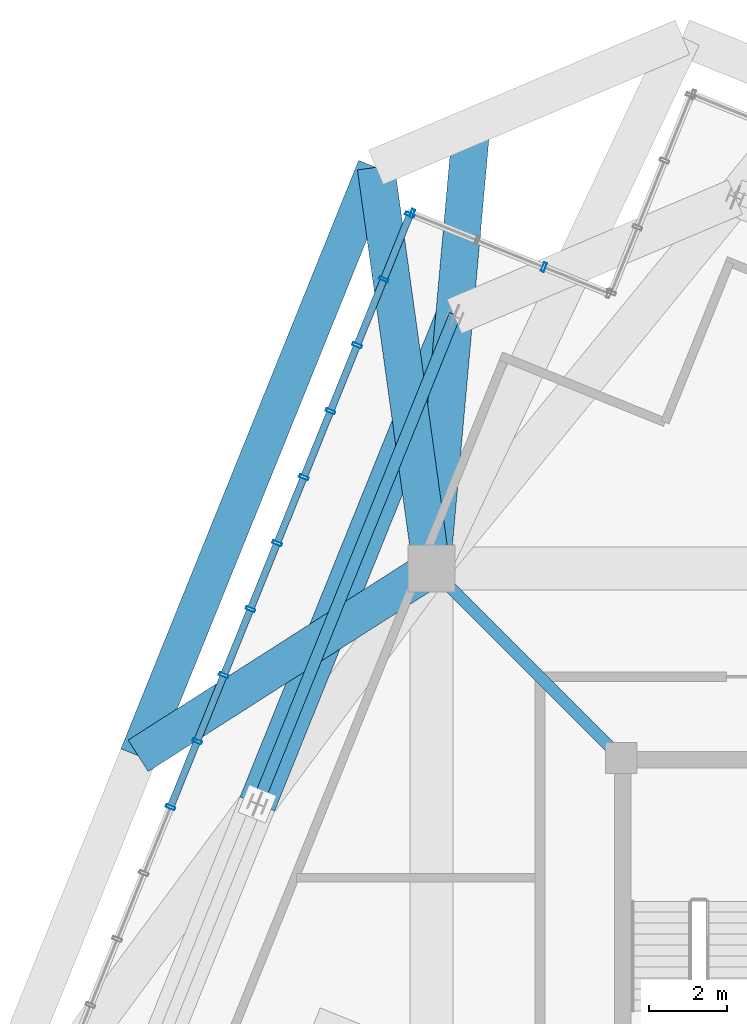
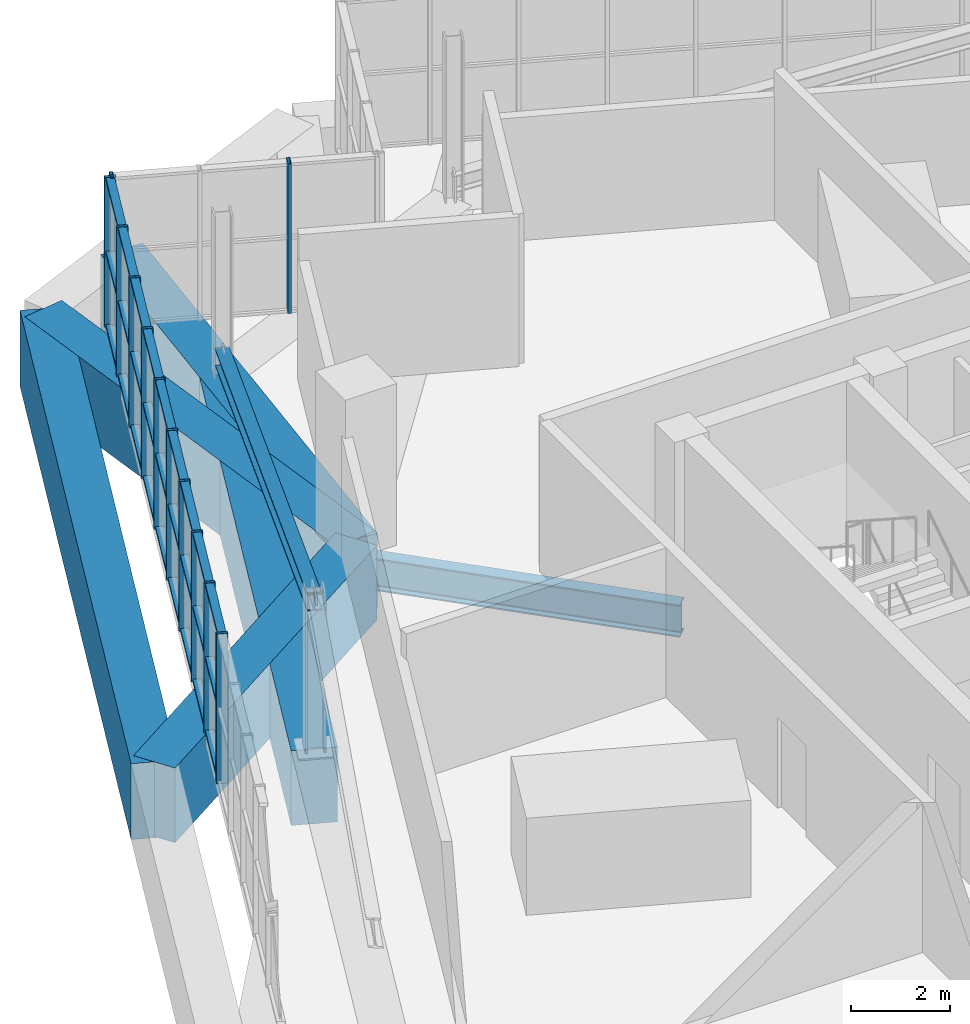
# One storey, part 18 of 35: 40 members, 6 beams, 2 elements without a shape of their own.
"""IFC4 building model written with IfcOpenShell, lengths in metres."""

from ifc_helpers import new_model, si_unit, direction, frame, origin, origin_2d, place, context, subcontext, project, spatial, rectangle, hollow_rectangle, i_section, extrude, source, transform, mapped, material, layer, layer_set, material_profile, profile_set, type_object, element, aggregate, save


model = new_model("IFC4")

# Units and contexts
model_context = context("Model", 3, precision=1e-05, world=origin(), true_north=direction((0.0, 1.0)))
body_context = subcontext(model_context, "Body", "Model", "MODEL_VIEW")
ifc_project = project(units=[si_unit("LENGTHUNIT", "METRE"), si_unit("AREAUNIT", "SQUARE_METRE"), si_unit("VOLUMEUNIT", "CUBIC_METRE"), si_unit("PLANEANGLEUNIT", "RADIAN"), si_unit("MASSUNIT", "GRAM", prefix="KILO"), si_unit("THERMODYNAMICTEMPERATUREUNIT", "KELVIN")], contexts=[model_context])

# Site, building, storey
site_placement = place(None, origin())
site = spatial("IfcSite", under=ifc_project, at=site_placement, CompositionType="ELEMENT")
building_placement = place(site_placement, origin())
building = spatial("IfcBuilding", under=site, at=building_placement, Name="Kosmvard Interchange Tower", CompositionType="ELEMENT")
storey_placement = place(building_placement, frame((0.0, 0.0, 321.60009765625)))
storey = spatial("IfcBuildingStorey", under=building, at=storey_placement, Name="L79", CompositionType="ELEMENT", Elevation=321.60009765625)

# Beams
ifc_material_1 = material(Name="Steel S355", Category="steel")
ifc_material_profile_1 = material_profile(ifc_material_1, i_section(OverallWidth=0.300048828125, OverallDepth=0.800048828125, WebThickness=0.017578125, FlangeThickness=0.032958984375, FilletRadius=0.027099609375, at=origin_2d()), Name="HEB 800")
ifc_profile_set_1 = profile_set([ifc_material_profile_1], Name="Steel S355")
beam_type_1 = type_object("IfcBeamType", Name="Primary Mega-Frame Girder HEB 800 S355", PredefinedType="BEAM", material=ifc_profile_set_1)
shared_shape_1 = source(origin(), body_context, "Body", "SweptSolid", [
    extrude(i_section(OverallWidth=0.300048828125, OverallDepth=0.800048828125, WebThickness=0.017578125, FlangeThickness=0.032958984375, FilletRadius=0.027099609375, at=origin_2d()), origin(), (0.0, 0.0, 1.0), 6.83203125),
])
beam_1_placement = place(storey_placement, frame((-8.25, 8.25, -0.7001953125), z_axis=(-0.707106781187, 0.707106781187, 0.0), x_axis=(-0.707106781187, -0.707106781187, 0.0)))
element("IfcBeam", 1, at=beam_1_placement, inside=storey, type_object=beam_type_1, Name="L79 Radial Mega-Frame Girder 4", PredefinedType="BEAM", context=body_context, shape_type="MappedRepresentation", body=[
    mapped(shared_shape_1, transform((0.0, 0.0, 0.0), scale=1.0)),
])
ifc_material_2 = material(Name="Concrete C60/75", Category="concrete")
ifc_material_profile_2 = material_profile(ifc_material_2, rectangle(XDim=0.949951171875, YDim=1.85009765625, at=origin_2d()), Name="TG 950x1850")
ifc_profile_set_2 = profile_set([ifc_material_profile_2], Name="Concrete C60/75")
beam_type_2 = type_object("IfcBeamType", Name="Upper Transfer Ring Girder 950x1850 C60/75", PredefinedType="USERDEFINED", material=ifc_profile_set_2)
shared_shape_2 = source(origin(), body_context, "Body", "SweptSolid", [
    extrude(rectangle(XDim=0.949951171875, YDim=1.85009765625, at=origin_2d()), origin(), (0.0, 0.0, 1.0), 10.3212890625),
])
beam_2_placement = place(storey_placement, frame((-13.0810546875, 13.0810546875, -0.925048828125), z_axis=(-0.137572239014, 0.990491735984, 0.0), x_axis=(-0.990491735984, -0.137572239014, 0.0)))
element("IfcBeam", 2, at=beam_2_placement, inside=storey, type_object=beam_type_2, Name="BM-L79-LD07", ObjectType="TRANSFER_GIRDER", PredefinedType="USERDEFINED", context=body_context, shape_type="MappedRepresentation", body=[
    mapped(shared_shape_2, transform((0.0, 0.0, 0.0), scale=1.0)),
])
ifc_material_profile_3 = material_profile(ifc_material_2, rectangle(XDim=0.949951171875, YDim=1.8798828125, at=origin_2d()), Name="TG 950x1880")
ifc_profile_set_3 = profile_set([ifc_material_profile_3], Name="Concrete C60/75")
beam_type_3 = type_object("IfcBeamType", Name="Upper Long-Span Transfer Girder 950x1880 C60/75", PredefinedType="USERDEFINED", material=ifc_profile_set_3)
shared_shape_3 = source(origin(), body_context, "Body", "SweptSolid", [
    extrude(rectangle(XDim=0.949951171875, YDim=1.8798828125, at=origin_2d()), origin(), (0.0, 0.0, 1.0), 16.175048828125),
])
beam_3_placement = place(storey_placement, frame((-14.5009765625, 23.30419921875, -0.940185546875), z_axis=(-0.374607540279, -0.927183472009, 0.0), x_axis=(0.927183472009, -0.374607540279, 0.0)))
element("IfcBeam", 3, at=beam_3_placement, inside=storey, type_object=beam_type_3, Name="BM-L79-LR07", ObjectType="TRANSFER_GIRDER", PredefinedType="USERDEFINED", context=body_context, shape_type="MappedRepresentation", body=[
    mapped(shared_shape_3, transform((0.0, 0.0, 0.0), scale=1.0)),
])
shared_shape_4 = source(origin(), body_context, "Body", "SweptSolid", [
    extrude(rectangle(XDim=0.949951171875, YDim=1.85009765625, at=origin_2d()), origin(), (0.0, 0.0, 1.0), 8.873046875),
])
beam_4_placement = place(storey_placement, frame((-13.0810546875, 13.0810546875, -0.925048828125), z_axis=(-0.842912916934, -0.538050011119, 0.0), x_axis=(0.538050011119, -0.842912916934, 0.0)))
element("IfcBeam", 4, at=beam_4_placement, inside=storey, type_object=beam_type_2, Name="BM-L79-LD08", ObjectType="TRANSFER_GIRDER", PredefinedType="USERDEFINED", context=body_context, shape_type="MappedRepresentation", body=[
    mapped(shared_shape_4, transform((0.0, 0.0, 0.0), scale=1.0)),
])
shared_shape_5 = source(origin(), body_context, "Body", "SweptSolid", [
    extrude(rectangle(XDim=0.949951171875, YDim=1.85009765625, at=origin_2d()), origin(), (0.0, 0.0, 1.0), 11.30029296875),
])
beam_5_placement = place(storey_placement, frame((-13.0810546875, 13.0810546875, -0.925048828125), z_axis=(0.089466247034, 0.995989854688, 0.0), x_axis=(-0.995989854688, 0.089466247034, 0.0)))
element("IfcBeam", 5, at=beam_5_placement, inside=storey, type_object=beam_type_2, Name="BM-L79-RD07", ObjectType="TRANSFER_GIRDER", PredefinedType="USERDEFINED", context=body_context, shape_type="MappedRepresentation", body=[
    mapped(shared_shape_5, transform((0.0, 0.0, 0.0), scale=1.0)),
])
shared_shape_6 = source(origin(), body_context, "Body", "SweptSolid", [
    extrude(rectangle(XDim=0.949951171875, YDim=1.85009765625, at=origin_2d()), origin(), (0.0, 0.0, 1.0), 13.39990234375),
])
beam_6_placement = place(storey_placement, frame((-12.504150390625, 19.50439453125, -0.925048828125), z_axis=(-0.374592580972, -0.927189515839, 0.0), x_axis=(0.927189515839, -0.374592580972, 0.0)))
element("IfcBeam", 6, at=beam_6_placement, inside=storey, type_object=beam_type_2, Name="BM-L79-PR07", ObjectType="TRANSFER_GIRDER", PredefinedType="USERDEFINED", context=body_context, shape_type="MappedRepresentation", body=[
    mapped(shared_shape_6, transform((0.0, 0.0, 0.0), scale=1.0)),
])

# Member
ifc_material_profile_4 = material_profile(ifc_material_1, i_section(OverallWidth=0.300048828125, OverallDepth=0.39990234375, WebThickness=0.013427734375, FlangeThickness=0.02392578125, FilletRadius=0.027099609375, at=origin_2d()), Name="HEB 400")
ifc_profile_set_4 = profile_set([ifc_material_profile_4], Name="Steel S355")
member_type_1 = type_object("IfcMemberType", Name="Lantern Crown Diagrid Brace HEB 400 S355", PredefinedType="BRACE", material=ifc_profile_set_4)
shared_shape_7 = source(origin(), body_context, "Body", "SweptSolid", [
    extrude(i_section(OverallWidth=0.300048828125, OverallDepth=0.39990234375, WebThickness=0.013427734375, FlangeThickness=0.02392578125, FilletRadius=0.027099609375, at=origin_2d()), origin(), (0.0, 0.0, 1.0), 13.78369140625),
])
member_1_placement = place(storey_placement, frame((-12.504150390625, 19.50439453125, 0.419921875), z_axis=(-0.364162635972, -0.901373372792, 0.234332279859), x_axis=(0.927189515839, -0.374592580972, 0.0)))
element("IfcMember", 7, at=member_1_placement, inside=storey, type_object=member_type_1, Name="L79 Crown Lantern Diagrid Brace N1", PredefinedType="BRACE", context=body_context, shape_type="MappedRepresentation", body=[
    mapped(shared_shape_7, transform((0.0, 0.0, 0.0), scale=1.0)),
])

# Curtain wall, members
ifc_material_3 = material(Name="Architectural anodised aluminium", Category="aluminium")
ifc_layer = layer(ifc_material_3, 0.25, Name="Architectural anodised aluminium")
ifc_layer_set = layer_set([ifc_layer], Name="Architectural anodised aluminium")
curtain_wall_type = type_object("IfcCurtainWallType", Name="CW-6 Illuminated Crown Lantern Curtain Wall", PredefinedType="NOTDEFINED", material=ifc_layer_set)
curtain_wall_1_placement = place(storey_placement, origin())
curtain_wall_1 = element("IfcCurtainWall", 8, at=curtain_wall_1_placement, inside=storey, type_object=curtain_wall_type, Name="L79 Crown Lantern Glazing Face 06", PredefinedType="NOTDEFINED")
ifc_material_profile_5 = material_profile(ifc_material_3, hollow_rectangle(XDim=0.239990234375, YDim=0.080078125, WallThickness=0.006103515625, at=origin_2d()), Name="CWM 240x80x6")
ifc_profile_set_5 = profile_set([ifc_material_profile_5], Name="Architectural anodised aluminium")
member_type_2 = type_object("IfcMemberType", Name="Lantern & Observation CW Mullion 240x80 Aluminium", PredefinedType="MULLION", material=ifc_profile_set_5)
shared_shape_8 = source(origin(), body_context, "Body", "SweptSolid", [
    extrude(hollow_rectangle(XDim=0.239990234375, YDim=0.080078125, WallThickness=0.006103515625, at=origin_2d()), origin(), (0.0, 0.0, 1.0), 3.699951171875),
])
member_2_placement = place(storey_placement, frame((-10.220458984375, 20.760498046875, 0.0), z_axis=(0.0, 0.0, 1.0), x_axis=(-0.374606501678, -0.927183891631, 0.0)))
member_2 = element("IfcMember", 9, at=member_2_placement, type_object=member_type_2, Name="CW-6 mullion 2", PredefinedType="MULLION", context=body_context, shape_type="MappedRepresentation", body=[
    mapped(shared_shape_8, transform((0.0, 0.0, 0.0), scale=1.0)),
])
member_3_placement = place(storey_placement, frame((-13.583251953125, 22.118896484375, 0.0), z_axis=(0.0, 0.0, 1.0), x_axis=(-0.374606501678, -0.927183891631, 0.0)))
member_3 = element("IfcMember", 10, at=member_3_placement, type_object=member_type_2, Name="CW-6 mullion 4", PredefinedType="MULLION", context=body_context, shape_type="MappedRepresentation", body=[
    mapped(shared_shape_8, transform((0.0, 0.0, 0.0), scale=1.0)),
])
aggregate(curtain_wall_1, [member_2, member_3])

curtain_wall_2_placement = place(storey_placement, origin())
curtain_wall_2 = element("IfcCurtainWall", 11, at=curtain_wall_2_placement, inside=storey, type_object=curtain_wall_type, Name="L79 Crown Lantern Glazing Face 07", PredefinedType="NOTDEFINED")
member_4_placement = place(storey_placement, frame((-13.63525390625, 22.096923828125, 0.0), z_axis=(0.0, 0.0, 1.0), x_axis=(0.927183858065, -0.374606584758, 0.0)))
member_4 = element("IfcMember", 12, at=member_4_placement, type_object=member_type_2, Name="CW-6 mullion 1", PredefinedType="MULLION", context=body_context, shape_type="MappedRepresentation", body=[
    mapped(shared_shape_8, transform((0.0, 0.0, 0.0), scale=1.0)),
])
member_5_placement = place(storey_placement, frame((-14.2998046875, 20.451904296875, 0.0), z_axis=(0.0, 0.0, 1.0), x_axis=(0.927183858065, -0.374606584758, 0.0)))
member_5 = element("IfcMember", 13, at=member_5_placement, type_object=member_type_2, Name="CW-6 mullion 2", PredefinedType="MULLION", context=body_context, shape_type="MappedRepresentation", body=[
    mapped(shared_shape_8, transform((0.0, 0.0, 0.0), scale=1.0)),
])
member_6_placement = place(storey_placement, frame((-14.9794921875, 18.77001953125, 0.0), z_axis=(0.0, 0.0, 1.0), x_axis=(0.927183858065, -0.374606584758, 0.0)))
member_6 = element("IfcMember", 14, at=member_6_placement, type_object=member_type_2, Name="CW-6 mullion 3", PredefinedType="MULLION", context=body_context, shape_type="MappedRepresentation", body=[
    mapped(shared_shape_8, transform((0.0, 0.0, 0.0), scale=1.0)),
])
member_7_placement = place(storey_placement, frame((-15.658935546875, 17.087890625, 0.0), z_axis=(0.0, 0.0, 1.0), x_axis=(0.927183858065, -0.374606584758, 0.0)))
member_7 = element("IfcMember", 15, at=member_7_placement, type_object=member_type_2, Name="CW-6 mullion 4", PredefinedType="MULLION", context=body_context, shape_type="MappedRepresentation", body=[
    mapped(shared_shape_8, transform((0.0, 0.0, 0.0), scale=1.0)),
])
member_8_placement = place(storey_placement, frame((-16.338623046875, 15.40576171875, 0.0), z_axis=(0.0, 0.0, 1.0), x_axis=(0.927183858065, -0.374606584758, 0.0)))
member_8 = element("IfcMember", 16, at=member_8_placement, type_object=member_type_2, Name="CW-6 mullion 5", PredefinedType="MULLION", context=body_context, shape_type="MappedRepresentation", body=[
    mapped(shared_shape_8, transform((0.0, 0.0, 0.0), scale=1.0)),
])
member_9_placement = place(storey_placement, frame((-17.01806640625, 13.723876953125, 0.0), z_axis=(0.0, 0.0, 1.0), x_axis=(0.927183858065, -0.374606584758, 0.0)))
member_9 = element("IfcMember", 17, at=member_9_placement, type_object=member_type_2, Name="CW-6 mullion 6", PredefinedType="MULLION", context=body_context, shape_type="MappedRepresentation", body=[
    mapped(shared_shape_8, transform((0.0, 0.0, 0.0), scale=1.0)),
])
member_10_placement = place(storey_placement, frame((-17.69775390625, 12.041748046875, 0.0), z_axis=(0.0, 0.0, 1.0), x_axis=(0.927183858065, -0.374606584758, 0.0)))
member_10 = element("IfcMember", 18, at=member_10_placement, type_object=member_type_2, Name="CW-6 mullion 7", PredefinedType="MULLION", context=body_context, shape_type="MappedRepresentation", body=[
    mapped(shared_shape_8, transform((0.0, 0.0, 0.0), scale=1.0)),
])
member_11_placement = place(storey_placement, frame((-18.377197265625, 10.35986328125, 0.0), z_axis=(0.0, 0.0, 1.0), x_axis=(0.927183858065, -0.374606584758, 0.0)))
member_11 = element("IfcMember", 19, at=member_11_placement, type_object=member_type_2, Name="CW-6 mullion 8", PredefinedType="MULLION", context=body_context, shape_type="MappedRepresentation", body=[
    mapped(shared_shape_8, transform((0.0, 0.0, 0.0), scale=1.0)),
])
member_12_placement = place(storey_placement, frame((-19.056884765625, 8.677734375, 0.0), z_axis=(0.0, 0.0, 1.0), x_axis=(0.927183858065, -0.374606584758, 0.0)))
member_12 = element("IfcMember", 20, at=member_12_placement, type_object=member_type_2, Name="CW-6 mullion 9", PredefinedType="MULLION", context=body_context, shape_type="MappedRepresentation", body=[
    mapped(shared_shape_8, transform((0.0, 0.0, 0.0), scale=1.0)),
])
member_13_placement = place(storey_placement, frame((-19.736572265625, 6.995849609375, 0.0), z_axis=(0.0, 0.0, 1.0), x_axis=(0.927183858065, -0.374606584758, 0.0)))
member_13 = element("IfcMember", 21, at=member_13_placement, type_object=member_type_2, Name="CW-6 mullion 10", PredefinedType="MULLION", context=body_context, shape_type="MappedRepresentation", body=[
    mapped(shared_shape_8, transform((0.0, 0.0, 0.0), scale=1.0)),
])
ifc_material_profile_6 = material_profile(ifc_material_3, hollow_rectangle(XDim=0.179931640625, YDim=0.070068359375, WallThickness=0.0048828125, at=origin_2d()), Name="CWT 180x70x5")
ifc_profile_set_6 = profile_set([ifc_material_profile_6], Name="Architectural anodised aluminium")
member_type_3 = type_object("IfcMemberType", Name="Heavy Lantern CW Transom 180x70 Aluminium", PredefinedType="USERDEFINED", material=ifc_profile_set_6)
shared_shape_9 = source(origin(), body_context, "Body", "SweptSolid", [
    extrude(hollow_rectangle(XDim=0.179931640625, YDim=0.070068359375, WallThickness=0.0048828125, at=origin_2d()), origin(), (0.0, 0.0, 1.0), 1.694091796875),
])
member_14_placement = place(storey_placement, frame((-13.650146484375, 22.059814453125, 0.034912109375), z_axis=(-0.374667946298, -0.927159064032, 0.0), x_axis=(0.927159064032, -0.374667946298, 0.0)))
member_14 = element("IfcMember", 22, at=member_14_placement, type_object=member_type_3, Name="CW-6 transom 1.1", ObjectType="TRANSOM", PredefinedType="USERDEFINED", context=body_context, shape_type="MappedRepresentation", body=[
    mapped(shared_shape_9, transform((0.0, 0.0, 0.0), scale=1.0)),
])
member_15_placement = place(storey_placement, frame((-13.650146484375, 22.059814453125, 1.849853515625), z_axis=(-0.374667946298, -0.927159064032, 0.0), x_axis=(0.927159064032, -0.374667946298, 0.0)))
member_15 = element("IfcMember", 23, at=member_15_placement, type_object=member_type_3, Name="CW-6 transom 1.2", ObjectType="TRANSOM", PredefinedType="USERDEFINED", context=body_context, shape_type="MappedRepresentation", body=[
    mapped(shared_shape_9, transform((0.0, 0.0, 0.0), scale=1.0)),
])
member_16_placement = place(storey_placement, frame((-13.650146484375, 22.059814453125, 3.664794921875), z_axis=(-0.374667946298, -0.927159064032, 0.0), x_axis=(0.927159064032, -0.374667946298, 0.0)))
member_16 = element("IfcMember", 24, at=member_16_placement, type_object=member_type_3, Name="CW-6 transom 1.3", ObjectType="TRANSOM", PredefinedType="USERDEFINED", context=body_context, shape_type="MappedRepresentation", body=[
    mapped(shared_shape_9, transform((0.0, 0.0, 0.0), scale=1.0)),
])
shared_shape_10 = source(origin(), body_context, "Body", "SweptSolid", [
    extrude(hollow_rectangle(XDim=0.179931640625, YDim=0.070068359375, WallThickness=0.0048828125, at=origin_2d()), origin(), (0.0, 0.0, 1.0), 1.734130859375),
])
member_17_placement = place(storey_placement, frame((-14.314697265625, 20.414794921875, 0.034912109375), z_axis=(-0.374616671924, -0.927179782522, 0.0), x_axis=(0.927179782522, -0.374616671924, 0.0)))
member_17 = element("IfcMember", 25, at=member_17_placement, type_object=member_type_3, Name="CW-6 transom 2.1", ObjectType="TRANSOM", PredefinedType="USERDEFINED", context=body_context, shape_type="MappedRepresentation", body=[
    mapped(shared_shape_10, transform((0.0, 0.0, 0.0), scale=1.0)),
])
member_18_placement = place(storey_placement, frame((-14.314697265625, 20.414794921875, 1.849853515625), z_axis=(-0.374616671924, -0.927179782522, 0.0), x_axis=(0.927179782522, -0.374616671924, 0.0)))
member_18 = element("IfcMember", 26, at=member_18_placement, type_object=member_type_3, Name="CW-6 transom 2.2", ObjectType="TRANSOM", PredefinedType="USERDEFINED", context=body_context, shape_type="MappedRepresentation", body=[
    mapped(shared_shape_10, transform((0.0, 0.0, 0.0), scale=1.0)),
])
member_19_placement = place(storey_placement, frame((-14.314697265625, 20.414794921875, 3.664794921875), z_axis=(-0.374616671924, -0.927179782522, 0.0), x_axis=(0.927179782522, -0.374616671924, 0.0)))
member_19 = element("IfcMember", 27, at=member_19_placement, type_object=member_type_3, Name="CW-6 transom 2.3", ObjectType="TRANSOM", PredefinedType="USERDEFINED", context=body_context, shape_type="MappedRepresentation", body=[
    mapped(shared_shape_10, transform((0.0, 0.0, 0.0), scale=1.0)),
])
member_20_placement = place(storey_placement, frame((-14.994384765625, 18.73291015625, 0.034912109375), z_axis=(-0.374616671924, -0.927179782522, 0.0), x_axis=(0.927179782522, -0.374616671924, 0.0)))
member_20 = element("IfcMember", 28, at=member_20_placement, type_object=member_type_3, Name="CW-6 transom 3.1", ObjectType="TRANSOM", PredefinedType="USERDEFINED", context=body_context, shape_type="MappedRepresentation", body=[
    mapped(shared_shape_10, transform((0.0, 0.0, 0.0), scale=1.0)),
])
member_21_placement = place(storey_placement, frame((-14.994384765625, 18.73291015625, 1.849853515625), z_axis=(-0.374616671924, -0.927179782522, 0.0), x_axis=(0.927179782522, -0.374616671924, 0.0)))
member_21 = element("IfcMember", 29, at=member_21_placement, type_object=member_type_3, Name="CW-6 transom 3.2", ObjectType="TRANSOM", PredefinedType="USERDEFINED", context=body_context, shape_type="MappedRepresentation", body=[
    mapped(shared_shape_10, transform((0.0, 0.0, 0.0), scale=1.0)),
])
member_22_placement = place(storey_placement, frame((-14.994384765625, 18.73291015625, 3.664794921875), z_axis=(-0.374616671924, -0.927179782522, 0.0), x_axis=(0.927179782522, -0.374616671924, 0.0)))
member_22 = element("IfcMember", 30, at=member_22_placement, type_object=member_type_3, Name="CW-6 transom 3.3", ObjectType="TRANSOM", PredefinedType="USERDEFINED", context=body_context, shape_type="MappedRepresentation", body=[
    mapped(shared_shape_10, transform((0.0, 0.0, 0.0), scale=1.0)),
])
member_23_placement = place(storey_placement, frame((-15.674072265625, 17.05078125, 0.034912109375), z_axis=(-0.374495638732, -0.927228675447, 0.0), x_axis=(0.927228675447, -0.374495638732, 0.0)))
member_23 = element("IfcMember", 31, at=member_23_placement, type_object=member_type_3, Name="CW-6 transom 4.1", ObjectType="TRANSOM", PredefinedType="USERDEFINED", context=body_context, shape_type="MappedRepresentation", body=[
    mapped(shared_shape_10, transform((0.0, 0.0, 0.0), scale=1.0)),
])
member_24_placement = place(storey_placement, frame((-15.674072265625, 17.05078125, 1.849853515625), z_axis=(-0.374495638732, -0.927228675447, 0.0), x_axis=(0.927228675447, -0.374495638732, 0.0)))
member_24 = element("IfcMember", 32, at=member_24_placement, type_object=member_type_3, Name="CW-6 transom 4.2", ObjectType="TRANSOM", PredefinedType="USERDEFINED", context=body_context, shape_type="MappedRepresentation", body=[
    mapped(shared_shape_10, transform((0.0, 0.0, 0.0), scale=1.0)),
])
member_25_placement = place(storey_placement, frame((-15.674072265625, 17.05078125, 3.664794921875), z_axis=(-0.374495638732, -0.927228675447, 0.0), x_axis=(0.927228675447, -0.374495638732, 0.0)))
member_25 = element("IfcMember", 33, at=member_25_placement, type_object=member_type_3, Name="CW-6 transom 4.3", ObjectType="TRANSOM", PredefinedType="USERDEFINED", context=body_context, shape_type="MappedRepresentation", body=[
    mapped(shared_shape_10, transform((0.0, 0.0, 0.0), scale=1.0)),
])
member_26_placement = place(storey_placement, frame((-16.353515625, 15.368896484375, 0.034912109375), z_axis=(-0.374616671924, -0.927179782522, 0.0), x_axis=(0.927179782522, -0.374616671924, 0.0)))
member_26 = element("IfcMember", 34, at=member_26_placement, type_object=member_type_3, Name="CW-6 transom 5.1", ObjectType="TRANSOM", PredefinedType="USERDEFINED", context=body_context, shape_type="MappedRepresentation", body=[
    mapped(shared_shape_10, transform((0.0, 0.0, 0.0), scale=1.0)),
])
member_27_placement = place(storey_placement, frame((-16.353515625, 15.368896484375, 1.849853515625), z_axis=(-0.374616671924, -0.927179782522, 0.0), x_axis=(0.927179782522, -0.374616671924, 0.0)))
member_27 = element("IfcMember", 35, at=member_27_placement, type_object=member_type_3, Name="CW-6 transom 5.2", ObjectType="TRANSOM", PredefinedType="USERDEFINED", context=body_context, shape_type="MappedRepresentation", body=[
    mapped(shared_shape_10, transform((0.0, 0.0, 0.0), scale=1.0)),
])
member_28_placement = place(storey_placement, frame((-16.353515625, 15.368896484375, 3.664794921875), z_axis=(-0.374616671924, -0.927179782522, 0.0), x_axis=(0.927179782522, -0.374616671924, 0.0)))
member_28 = element("IfcMember", 36, at=member_28_placement, type_object=member_type_3, Name="CW-6 transom 5.3", ObjectType="TRANSOM", PredefinedType="USERDEFINED", context=body_context, shape_type="MappedRepresentation", body=[
    mapped(shared_shape_10, transform((0.0, 0.0, 0.0), scale=1.0)),
])
member_29_placement = place(storey_placement, frame((-17.033203125, 13.686767578125, 0.034912109375), z_axis=(-0.374616671924, -0.927179782522, 0.0), x_axis=(0.927179782522, -0.374616671924, 0.0)))
member_29 = element("IfcMember", 37, at=member_29_placement, type_object=member_type_3, Name="CW-6 transom 6.1", ObjectType="TRANSOM", PredefinedType="USERDEFINED", context=body_context, shape_type="MappedRepresentation", body=[
    mapped(shared_shape_10, transform((0.0, 0.0, 0.0), scale=1.0)),
])
member_30_placement = place(storey_placement, frame((-17.033203125, 13.686767578125, 1.849853515625), z_axis=(-0.374616671924, -0.927179782522, 0.0), x_axis=(0.927179782522, -0.374616671924, 0.0)))
member_30 = element("IfcMember", 38, at=member_30_placement, type_object=member_type_3, Name="CW-6 transom 6.2", ObjectType="TRANSOM", PredefinedType="USERDEFINED", context=body_context, shape_type="MappedRepresentation", body=[
    mapped(shared_shape_10, transform((0.0, 0.0, 0.0), scale=1.0)),
])
member_31_placement = place(storey_placement, frame((-17.033203125, 13.686767578125, 3.664794921875), z_axis=(-0.374616671924, -0.927179782522, 0.0), x_axis=(0.927179782522, -0.374616671924, 0.0)))
member_31 = element("IfcMember", 39, at=member_31_placement, type_object=member_type_3, Name="CW-6 transom 6.3", ObjectType="TRANSOM", PredefinedType="USERDEFINED", context=body_context, shape_type="MappedRepresentation", body=[
    mapped(shared_shape_10, transform((0.0, 0.0, 0.0), scale=1.0)),
])
member_32_placement = place(storey_placement, frame((-18.392333984375, 10.32275390625, 0.034912109375), z_axis=(-0.374616671924, -0.927179782522, 0.0), x_axis=(0.927179782522, -0.374616671924, 0.0)))
member_32 = element("IfcMember", 40, at=member_32_placement, type_object=member_type_3, Name="CW-6 transom 8.1", ObjectType="TRANSOM", PredefinedType="USERDEFINED", context=body_context, shape_type="MappedRepresentation", body=[
    mapped(shared_shape_10, transform((0.0, 0.0, 0.0), scale=1.0)),
])
member_33_placement = place(storey_placement, frame((-18.392333984375, 10.32275390625, 1.849853515625), z_axis=(-0.374616671924, -0.927179782522, 0.0), x_axis=(0.927179782522, -0.374616671924, 0.0)))
member_33 = element("IfcMember", 41, at=member_33_placement, type_object=member_type_3, Name="CW-6 transom 8.2", ObjectType="TRANSOM", PredefinedType="USERDEFINED", context=body_context, shape_type="MappedRepresentation", body=[
    mapped(shared_shape_10, transform((0.0, 0.0, 0.0), scale=1.0)),
])
member_34_placement = place(storey_placement, frame((-18.392333984375, 10.32275390625, 3.664794921875), z_axis=(-0.374616671924, -0.927179782522, 0.0), x_axis=(0.927179782522, -0.374616671924, 0.0)))
member_34 = element("IfcMember", 42, at=member_34_placement, type_object=member_type_3, Name="CW-6 transom 8.3", ObjectType="TRANSOM", PredefinedType="USERDEFINED", context=body_context, shape_type="MappedRepresentation", body=[
    mapped(shared_shape_10, transform((0.0, 0.0, 0.0), scale=1.0)),
])
shared_shape_11 = source(origin(), body_context, "Body", "SweptSolid", [
    extrude(hollow_rectangle(XDim=0.179931640625, YDim=0.070068359375, WallThickness=0.0048828125, at=origin_2d()), origin(), (0.0, 0.0, 1.0), 1.73388671875),
])
member_35_placement = place(storey_placement, frame((-17.712646484375, 12.004638671875, 0.034912109375), z_axis=(-0.374665576032, -0.927160021861, 0.0), x_axis=(0.927160021861, -0.374665576032, 0.0)))
member_35 = element("IfcMember", 43, at=member_35_placement, type_object=member_type_3, Name="CW-6 transom 7.1", ObjectType="TRANSOM", PredefinedType="USERDEFINED", context=body_context, shape_type="MappedRepresentation", body=[
    mapped(shared_shape_11, transform((0.0, 0.0, 0.0), scale=1.0)),
])
member_36_placement = place(storey_placement, frame((-17.712646484375, 12.004638671875, 1.849853515625), z_axis=(-0.374665576032, -0.927160021861, 0.0), x_axis=(0.927160021861, -0.374665576032, 0.0)))
member_36 = element("IfcMember", 44, at=member_36_placement, type_object=member_type_3, Name="CW-6 transom 7.2", ObjectType="TRANSOM", PredefinedType="USERDEFINED", context=body_context, shape_type="MappedRepresentation", body=[
    mapped(shared_shape_11, transform((0.0, 0.0, 0.0), scale=1.0)),
])
member_37_placement = place(storey_placement, frame((-17.712646484375, 12.004638671875, 3.664794921875), z_axis=(-0.374665576032, -0.927160021861, 0.0), x_axis=(0.927160021861, -0.374665576032, 0.0)))
member_37 = element("IfcMember", 45, at=member_37_placement, type_object=member_type_3, Name="CW-6 transom 7.3", ObjectType="TRANSOM", PredefinedType="USERDEFINED", context=body_context, shape_type="MappedRepresentation", body=[
    mapped(shared_shape_11, transform((0.0, 0.0, 0.0), scale=1.0)),
])
member_38_placement = place(storey_placement, frame((-19.07177734375, 8.640625, 0.034912109375), z_axis=(-0.374665576032, -0.927160021861, 0.0), x_axis=(0.927160021861, -0.374665576032, 0.0)))
member_38 = element("IfcMember", 46, at=member_38_placement, type_object=member_type_3, Name="CW-6 transom 9.1", ObjectType="TRANSOM", PredefinedType="USERDEFINED", context=body_context, shape_type="MappedRepresentation", body=[
    mapped(shared_shape_11, transform((0.0, 0.0, 0.0), scale=1.0)),
])
member_39_placement = place(storey_placement, frame((-19.07177734375, 8.640625, 1.849853515625), z_axis=(-0.374665576032, -0.927160021861, 0.0), x_axis=(0.927160021861, -0.374665576032, 0.0)))
member_39 = element("IfcMember", 47, at=member_39_placement, type_object=member_type_3, Name="CW-6 transom 9.2", ObjectType="TRANSOM", PredefinedType="USERDEFINED", context=body_context, shape_type="MappedRepresentation", body=[
    mapped(shared_shape_11, transform((0.0, 0.0, 0.0), scale=1.0)),
])
member_40_placement = place(storey_placement, frame((-19.07177734375, 8.640625, 3.664794921875), z_axis=(-0.374665576032, -0.927160021861, 0.0), x_axis=(0.927160021861, -0.374665576032, 0.0)))
member_40 = element("IfcMember", 48, at=member_40_placement, type_object=member_type_3, Name="CW-6 transom 9.3", ObjectType="TRANSOM", PredefinedType="USERDEFINED", context=body_context, shape_type="MappedRepresentation", body=[
    mapped(shared_shape_11, transform((0.0, 0.0, 0.0), scale=1.0)),
])
aggregate(curtain_wall_2, [member_4, member_5, member_6, member_7, member_8, member_9, member_10, member_11, member_12, member_13, member_14, member_15, member_16, member_17, member_18, member_19, member_20, member_21, member_22, member_23, member_24, member_25, member_26, member_27, member_28, member_29, member_30, member_31, member_35, member_36, member_37, member_32, member_33, member_34, member_38, member_39, member_40])

save(model, "model.ifc")
